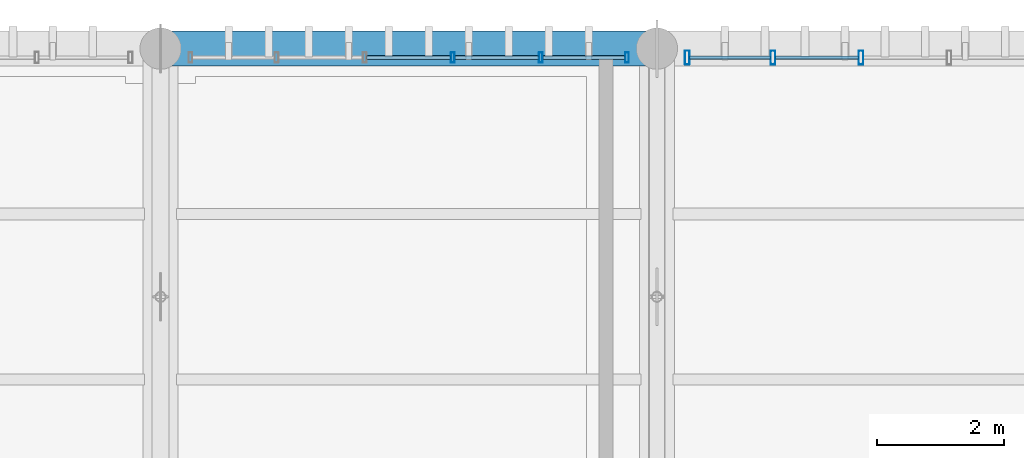
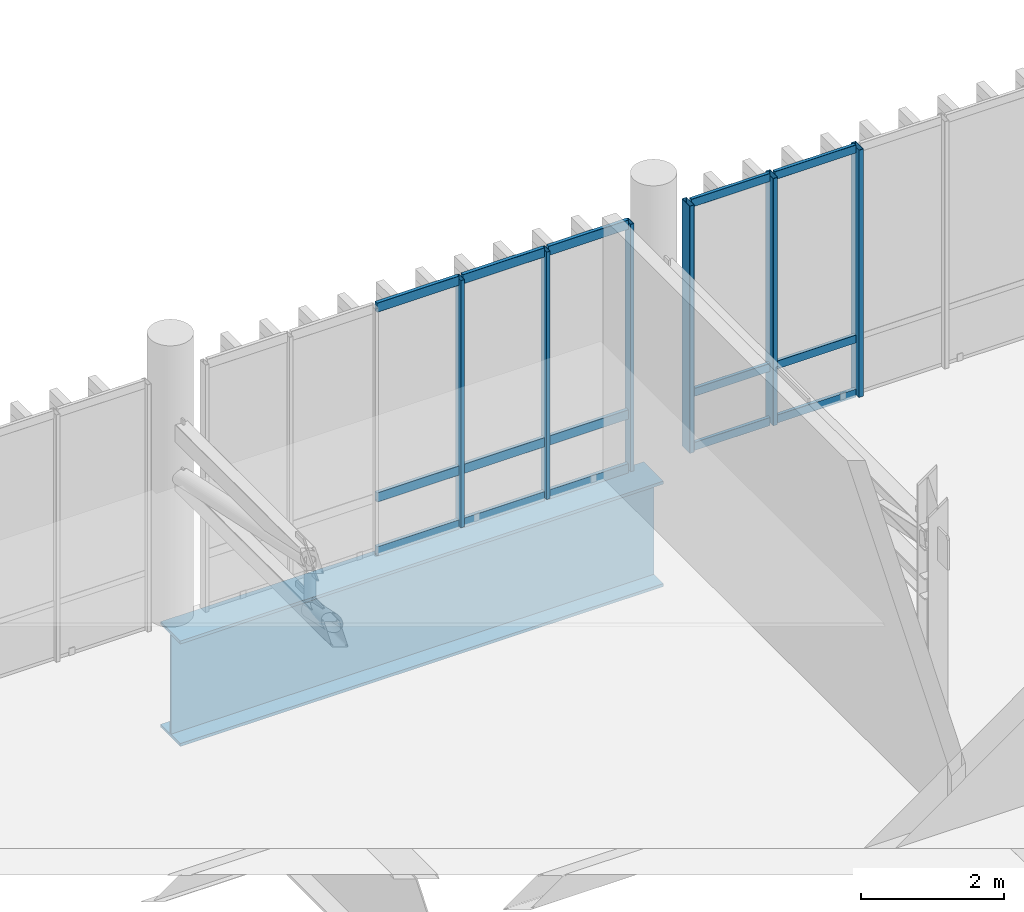
# One storey, part 50 of 81: 21 members, 1 beam, 2 elements without a shape of their own.
"""IFC4 building model written with IfcOpenShell, lengths in metres."""

from ifc_helpers import new_model, si_unit, direction, frame, origin_with_axes, origin_2d_with_axis, place, context, subcontext, project, spatial, hollow_rectangle, i_section, extrude, material, material_profile, profile_set, type_object, element, aggregate, save


model = new_model("IFC4")

# Units and contexts
model_context = context("Model", 3, precision=1e-05, world=origin_with_axes(), true_north=direction((0.0, 1.0)))
body_context = subcontext(model_context, "Body", "Model", "MODEL_VIEW")
ifc_project = project(units=[si_unit("LENGTHUNIT", "METRE"), si_unit("AREAUNIT", "SQUARE_METRE"), si_unit("VOLUMEUNIT", "CUBIC_METRE"), si_unit("PLANEANGLEUNIT", "RADIAN"), si_unit("MASSUNIT", "GRAM", prefix="KILO"), si_unit("THERMODYNAMICTEMPERATUREUNIT", "KELVIN")], contexts=[model_context])

# Site, building, storey
site_placement = place(None, origin_with_axes())
site = spatial("IfcSite", under=ifc_project, at=site_placement, CompositionType="ELEMENT")
building_placement = place(site_placement, origin_with_axes())
building = spatial("IfcBuilding", under=site, at=building_placement, Name="Montbau Bow Law Courts", CompositionType="ELEMENT")
storey_placement = place(building_placement, frame((0.0, 0.0, 24.9), z_axis=(0.0, 0.0, 1.0), x_axis=(1.0, 0.0, 0.0)))
storey = spatial("IfcBuildingStorey", under=building, at=storey_placement, Name="L05", CompositionType="ELEMENT", Elevation=24.9)

# Beam
ifc_material_1 = material(Name="Steel CSA G40.21 Grade 350WT (350 MPa)", Category="steel")
ifc_material_profile_1 = material_profile(ifc_material_1, i_section(OverallWidth=0.55, OverallDepth=1.8, WebThickness=0.022, FlangeThickness=0.05, at=origin_2d_with_axis()), Name="WWF1800X550", Category="Main", Priority=0)
ifc_profile_set_1 = profile_set([ifc_material_profile_1], Name="Steel CSA G40.21 Grade 350WT (350 MPa)")
beam_type = type_object("IfcBeamType", Name="B-TRG-01", PredefinedType="USERDEFINED", material=ifc_profile_set_1)
beam_placement = place(None, frame((147.0, 111.0, 23.7), z_axis=(1.0, 0.0, 0.0), x_axis=(0.0, 1.0, 0.0)))
element("IfcBeam", 1, at=beam_placement, inside=storey, type_object=beam_type, Name="TRG-L05-S0087:bm2_0090", ObjectType="GIRDER", PredefinedType="USERDEFINED", context=body_context, shape_type="SweptSolid", body=[
    extrude(i_section(OverallWidth=0.55, OverallDepth=1.8, WebThickness=0.022, FlangeThickness=0.05, at=origin_2d_with_axis()), origin_with_axes(), (0.0, 0.0, 1.0), 7.8),
])

# Curtain wall, members
ifc_material_2 = material(Name="Thermally Broken Extruded Aluminium AA 6063-T6", Category="aluminium")
curtain_wall_type = type_object("IfcCurtainWallType", Name="CW-SLT-02", PredefinedType="NOTDEFINED", material=ifc_material_2)
curtain_wall_1_placement = place(None, frame((155.24, 110.86, 24.9), z_axis=(0.0, 0.0, 1.0), x_axis=(1.0, 0.0, 0.0)))
curtain_wall_1 = element("IfcCurtainWall", 2, at=curtain_wall_1_placement, inside=storey, type_object=curtain_wall_type, Name="CW-L05-339:cw_0339", PredefinedType="NOTDEFINED")
ifc_material_profile_2 = material_profile(ifc_material_2, hollow_rectangle(XDim=0.075, YDim=0.22, WallThickness=0.005, InnerFilletRadius=0.01, OuterFilletRadius=0.005, at=origin_2d_with_axis()), Name="CWM-220X75", Category="Main", Priority=0)
ifc_profile_set_2 = profile_set([ifc_material_profile_2], Name="Thermally Broken Extruded Aluminium AA 6063-T6")
member_type_1 = type_object("IfcMemberType", Name="M-MUL-01", PredefinedType="MULLION", material=ifc_profile_set_2)
member_1_placement = place(None, frame((155.277, 110.86, 24.9), z_axis=(0.0, 0.0, 1.0), x_axis=(1.0, 0.0, 0.0)))
member_1 = element("IfcMember", 3, at=member_1_placement, type_object=member_type_1, Name="CW-L05-339-M01:cw_0339_M01", PredefinedType="MULLION", context=body_context, shape_type="SweptSolid", body=[
    extrude(hollow_rectangle(XDim=0.075, YDim=0.22, WallThickness=0.005, InnerFilletRadius=0.01, OuterFilletRadius=0.005, at=origin_2d_with_axis()), origin_with_axes(), (0.0, 0.0, 1.0), 4.22),
])
member_2_placement = place(None, frame((156.624, 110.86, 24.9), z_axis=(0.0, 0.0, 1.0), x_axis=(1.0, 0.0, 0.0)))
member_2 = element("IfcMember", 4, at=member_2_placement, type_object=member_type_1, Name="CW-L05-339-M02:cw_0339_M02", PredefinedType="MULLION", context=body_context, shape_type="SweptSolid", body=[
    extrude(hollow_rectangle(XDim=0.075, YDim=0.22, WallThickness=0.005, InnerFilletRadius=0.01, OuterFilletRadius=0.005, at=origin_2d_with_axis()), origin_with_axes(), (0.0, 0.0, 1.0), 4.22),
])
member_3_placement = place(None, frame((158.008, 110.86, 24.9), z_axis=(0.0, 0.0, 1.0), x_axis=(1.0, 0.0, 0.0)))
member_3 = element("IfcMember", 5, at=member_3_placement, type_object=member_type_1, Name="CW-L05-339-M03:cw_0339_M03", PredefinedType="MULLION", context=body_context, shape_type="SweptSolid", body=[
    extrude(hollow_rectangle(XDim=0.075, YDim=0.22, WallThickness=0.005, InnerFilletRadius=0.01, OuterFilletRadius=0.005, at=origin_2d_with_axis()), origin_with_axes(), (0.0, 0.0, 1.0), 4.22),
])

curtain_wall_2_placement = place(None, frame((147.44, 110.86, 24.9), z_axis=(0.0, 0.0, 1.0), x_axis=(1.0, 0.0, 0.0)))
curtain_wall_2 = element("IfcCurtainWall", 6, at=curtain_wall_2_placement, inside=storey, type_object=curtain_wall_type, Name="CW-L05-338:cw_0338", PredefinedType="NOTDEFINED")
ifc_material_profile_3 = material_profile(ifc_material_2, hollow_rectangle(XDim=0.06, YDim=0.16, WallThickness=0.004, InnerFilletRadius=0.008, OuterFilletRadius=0.004, at=origin_2d_with_axis()), Name="CWM-160X60", Category="Main", Priority=0)
ifc_profile_set_3 = profile_set([ifc_material_profile_3], Name="Thermally Broken Extruded Aluminium AA 6063-T6")
member_type_2 = type_object("IfcMemberType", Name="M-MUL-03", PredefinedType="MULLION", material=ifc_profile_set_3)
member_4_placement = place(None, frame((151.592, 110.86, 24.9), z_axis=(0.0, 0.0, 1.0), x_axis=(1.0, 0.0, 0.0)))
member_4 = element("IfcMember", 7, at=member_4_placement, type_object=member_type_2, Name="CW-L05-338-M04:cw_0338_M04", PredefinedType="MULLION", context=body_context, shape_type="SweptSolid", body=[
    extrude(hollow_rectangle(XDim=0.06, YDim=0.16, WallThickness=0.004, InnerFilletRadius=0.008, OuterFilletRadius=0.004, at=origin_2d_with_axis()), origin_with_axes(), (0.0, 0.0, 1.0), 4.22),
])
member_5_placement = place(None, frame((152.976, 110.86, 24.9), z_axis=(0.0, 0.0, 1.0), x_axis=(1.0, 0.0, 0.0)))
member_5 = element("IfcMember", 8, at=member_5_placement, type_object=member_type_2, Name="CW-L05-338-M05:cw_0338_M05", PredefinedType="MULLION", context=body_context, shape_type="SweptSolid", body=[
    extrude(hollow_rectangle(XDim=0.06, YDim=0.16, WallThickness=0.004, InnerFilletRadius=0.008, OuterFilletRadius=0.004, at=origin_2d_with_axis()), origin_with_axes(), (0.0, 0.0, 1.0), 4.22),
])
member_6_placement = place(None, frame((154.33, 110.86, 24.9), z_axis=(0.0, 0.0, 1.0), x_axis=(1.0, 0.0, 0.0)))
member_6 = element("IfcMember", 9, at=member_6_placement, type_object=member_type_2, Name="CW-L05-338-M06:cw_0338_M06", PredefinedType="MULLION", context=body_context, shape_type="SweptSolid", body=[
    extrude(hollow_rectangle(XDim=0.06, YDim=0.16, WallThickness=0.004, InnerFilletRadius=0.008, OuterFilletRadius=0.004, at=origin_2d_with_axis()), origin_with_axes(), (0.0, 0.0, 1.0), 4.22),
])
ifc_material_profile_4 = material_profile(ifc_material_2, hollow_rectangle(XDim=0.06, YDim=0.16, WallThickness=0.004, InnerFilletRadius=0.008, OuterFilletRadius=0.004, at=origin_2d_with_axis()), Name="CWT-160X60", Category="Main", Priority=0)
ifc_profile_set_4 = profile_set([ifc_material_profile_4], Name="Thermally Broken Extruded Aluminium AA 6063-T6")
member_type_3 = type_object("IfcMemberType", Name="M-TRN-01", PredefinedType="USERDEFINED", material=ifc_profile_set_4)
member_7_placement = place(None, frame((150.24, 110.86, 24.93), z_axis=(1.0, 0.0, 0.0), x_axis=(0.0, 1.0, 0.0)))
member_7 = element("IfcMember", 10, at=member_7_placement, type_object=member_type_3, Name="CW-L05-338-T03-1:cw_0338_T03_1", ObjectType="TRANSOM", PredefinedType="USERDEFINED", context=body_context, shape_type="SweptSolid", body=[
    extrude(hollow_rectangle(XDim=0.06, YDim=0.16, WallThickness=0.004, InnerFilletRadius=0.008, OuterFilletRadius=0.004, at=origin_2d_with_axis()), origin_with_axes(), (0.0, 0.0, 1.0), 1.32),
])
member_8_placement = place(None, frame((150.24, 110.86, 25.85), z_axis=(1.0, 0.0, 0.0), x_axis=(0.0, 1.0, 0.0)))
member_8 = element("IfcMember", 11, at=member_8_placement, type_object=member_type_3, Name="CW-L05-338-T03-2:cw_0338_T03_2", ObjectType="TRANSOM", PredefinedType="USERDEFINED", context=body_context, shape_type="SweptSolid", body=[
    extrude(hollow_rectangle(XDim=0.06, YDim=0.16, WallThickness=0.004, InnerFilletRadius=0.008, OuterFilletRadius=0.004, at=origin_2d_with_axis()), origin_with_axes(), (0.0, 0.0, 1.0), 1.32),
])
member_9_placement = place(None, frame((150.24, 110.86, 29.09), z_axis=(1.0, 0.0, 0.0), x_axis=(0.0, 1.0, 0.0)))
member_9 = element("IfcMember", 12, at=member_9_placement, type_object=member_type_3, Name="CW-L05-338-T03-3:cw_0338_T03_3", ObjectType="TRANSOM", PredefinedType="USERDEFINED", context=body_context, shape_type="SweptSolid", body=[
    extrude(hollow_rectangle(XDim=0.06, YDim=0.16, WallThickness=0.004, InnerFilletRadius=0.008, OuterFilletRadius=0.004, at=origin_2d_with_axis()), origin_with_axes(), (0.0, 0.0, 1.0), 1.32),
])
member_10_placement = place(None, frame((151.624, 110.86, 24.93), z_axis=(1.0, 0.0, 0.0), x_axis=(0.0, 1.0, 0.0)))
member_10 = element("IfcMember", 13, at=member_10_placement, type_object=member_type_3, Name="CW-L05-338-T04-1:cw_0338_T04_1", ObjectType="TRANSOM", PredefinedType="USERDEFINED", context=body_context, shape_type="SweptSolid", body=[
    extrude(hollow_rectangle(XDim=0.06, YDim=0.16, WallThickness=0.004, InnerFilletRadius=0.008, OuterFilletRadius=0.004, at=origin_2d_with_axis()), origin_with_axes(), (0.0, 0.0, 1.0), 1.32),
])
member_11_placement = place(None, frame((151.624, 110.86, 25.85), z_axis=(1.0, 0.0, 0.0), x_axis=(0.0, 1.0, 0.0)))
member_11 = element("IfcMember", 14, at=member_11_placement, type_object=member_type_3, Name="CW-L05-338-T04-2:cw_0338_T04_2", ObjectType="TRANSOM", PredefinedType="USERDEFINED", context=body_context, shape_type="SweptSolid", body=[
    extrude(hollow_rectangle(XDim=0.06, YDim=0.16, WallThickness=0.004, InnerFilletRadius=0.008, OuterFilletRadius=0.004, at=origin_2d_with_axis()), origin_with_axes(), (0.0, 0.0, 1.0), 1.32),
])
member_12_placement = place(None, frame((151.624, 110.86, 29.09), z_axis=(1.0, 0.0, 0.0), x_axis=(0.0, 1.0, 0.0)))
member_12 = element("IfcMember", 15, at=member_12_placement, type_object=member_type_3, Name="CW-L05-338-T04-3:cw_0338_T04_3", ObjectType="TRANSOM", PredefinedType="USERDEFINED", context=body_context, shape_type="SweptSolid", body=[
    extrude(hollow_rectangle(XDim=0.06, YDim=0.16, WallThickness=0.004, InnerFilletRadius=0.008, OuterFilletRadius=0.004, at=origin_2d_with_axis()), origin_with_axes(), (0.0, 0.0, 1.0), 1.32),
])
member_13_placement = place(None, frame((153.008, 110.86, 24.93), z_axis=(1.0, 0.0, 0.0), x_axis=(0.0, 1.0, 0.0)))
member_13 = element("IfcMember", 16, at=member_13_placement, type_object=member_type_3, Name="CW-L05-338-T05-1:cw_0338_T05_1", ObjectType="TRANSOM", PredefinedType="USERDEFINED", context=body_context, shape_type="SweptSolid", body=[
    extrude(hollow_rectangle(XDim=0.06, YDim=0.16, WallThickness=0.004, InnerFilletRadius=0.008, OuterFilletRadius=0.004, at=origin_2d_with_axis()), origin_with_axes(), (0.0, 0.0, 1.0), 1.29),
])
member_14_placement = place(None, frame((153.008, 110.86, 25.85), z_axis=(1.0, 0.0, 0.0), x_axis=(0.0, 1.0, 0.0)))
member_14 = element("IfcMember", 17, at=member_14_placement, type_object=member_type_3, Name="CW-L05-338-T05-2:cw_0338_T05_2", ObjectType="TRANSOM", PredefinedType="USERDEFINED", context=body_context, shape_type="SweptSolid", body=[
    extrude(hollow_rectangle(XDim=0.06, YDim=0.16, WallThickness=0.004, InnerFilletRadius=0.008, OuterFilletRadius=0.004, at=origin_2d_with_axis()), origin_with_axes(), (0.0, 0.0, 1.0), 1.29),
])
member_15_placement = place(None, frame((153.008, 110.86, 29.09), z_axis=(1.0, 0.0, 0.0), x_axis=(0.0, 1.0, 0.0)))
member_15 = element("IfcMember", 18, at=member_15_placement, type_object=member_type_3, Name="CW-L05-338-T05-3:cw_0338_T05_3", ObjectType="TRANSOM", PredefinedType="USERDEFINED", context=body_context, shape_type="SweptSolid", body=[
    extrude(hollow_rectangle(XDim=0.06, YDim=0.16, WallThickness=0.004, InnerFilletRadius=0.008, OuterFilletRadius=0.004, at=origin_2d_with_axis()), origin_with_axes(), (0.0, 0.0, 1.0), 1.29),
])
aggregate(curtain_wall_2, [member_4, member_5, member_6, member_7, member_8, member_9, member_10, member_11, member_12, member_13, member_14, member_15])

# Member
ifc_material_profile_5 = material_profile(ifc_material_2, hollow_rectangle(XDim=0.055, YDim=0.14, WallThickness=0.004, InnerFilletRadius=0.008, OuterFilletRadius=0.004, at=origin_2d_with_axis()), Name="CWT-140X55", Category="Main", Priority=0)
ifc_profile_set_5 = profile_set([ifc_material_profile_5], Name="Thermally Broken Extruded Aluminium AA 6063-T6")
member_type_4 = type_object("IfcMemberType", Name="M-TRN-02", PredefinedType="USERDEFINED", material=ifc_profile_set_5)
member_16_placement = place(None, frame((155.316, 110.86, 24.927), z_axis=(1.0, 0.0, 0.0), x_axis=(0.0, 1.0, 0.0)))
member_16 = element("IfcMember", 19, at=member_16_placement, type_object=member_type_4, Name="CW-L05-339-T01-1:cw_0339_T01_1", ObjectType="TRANSOM", PredefinedType="USERDEFINED", context=body_context, shape_type="SweptSolid", body=[
    extrude(hollow_rectangle(XDim=0.055, YDim=0.14, WallThickness=0.004, InnerFilletRadius=0.008, OuterFilletRadius=0.004, at=origin_2d_with_axis()), origin_with_axes(), (0.0, 0.0, 1.0), 1.268),
])

member_17_placement = place(None, frame((155.316, 110.86, 25.85), z_axis=(1.0, 0.0, 0.0), x_axis=(0.0, 1.0, 0.0)))
member_17 = element("IfcMember", 20, at=member_17_placement, type_object=member_type_4, Name="CW-L05-339-T01-2:cw_0339_T01_2", ObjectType="TRANSOM", PredefinedType="USERDEFINED", context=body_context, shape_type="SweptSolid", body=[
    extrude(hollow_rectangle(XDim=0.055, YDim=0.14, WallThickness=0.004, InnerFilletRadius=0.008, OuterFilletRadius=0.004, at=origin_2d_with_axis()), origin_with_axes(), (0.0, 0.0, 1.0), 1.268),
])

member_18_placement = place(None, frame((155.316, 110.86, 29.093), z_axis=(1.0, 0.0, 0.0), x_axis=(0.0, 1.0, 0.0)))
member_18 = element("IfcMember", 21, at=member_18_placement, type_object=member_type_4, Name="CW-L05-339-T01-3:cw_0339_T01_3", ObjectType="TRANSOM", PredefinedType="USERDEFINED", context=body_context, shape_type="SweptSolid", body=[
    extrude(hollow_rectangle(XDim=0.055, YDim=0.14, WallThickness=0.004, InnerFilletRadius=0.008, OuterFilletRadius=0.004, at=origin_2d_with_axis()), origin_with_axes(), (0.0, 0.0, 1.0), 1.268),
])

member_19_placement = place(None, frame((156.663, 110.86, 24.927), z_axis=(1.0, 0.0, 0.0), x_axis=(0.0, 1.0, 0.0)))
member_19 = element("IfcMember", 22, at=member_19_placement, type_object=member_type_4, Name="CW-L05-339-T02-1:cw_0339_T02_1", ObjectType="TRANSOM", PredefinedType="USERDEFINED", context=body_context, shape_type="SweptSolid", body=[
    extrude(hollow_rectangle(XDim=0.055, YDim=0.14, WallThickness=0.004, InnerFilletRadius=0.008, OuterFilletRadius=0.004, at=origin_2d_with_axis()), origin_with_axes(), (0.0, 0.0, 1.0), 1.305),
])

member_20_placement = place(None, frame((156.663, 110.86, 25.85), z_axis=(1.0, 0.0, 0.0), x_axis=(0.0, 1.0, 0.0)))
member_20 = element("IfcMember", 23, at=member_20_placement, type_object=member_type_4, Name="CW-L05-339-T02-2:cw_0339_T02_2", ObjectType="TRANSOM", PredefinedType="USERDEFINED", context=body_context, shape_type="SweptSolid", body=[
    extrude(hollow_rectangle(XDim=0.055, YDim=0.14, WallThickness=0.004, InnerFilletRadius=0.008, OuterFilletRadius=0.004, at=origin_2d_with_axis()), origin_with_axes(), (0.0, 0.0, 1.0), 1.305),
])

member_21_placement = place(None, frame((156.663, 110.86, 29.093), z_axis=(1.0, 0.0, 0.0), x_axis=(0.0, 1.0, 0.0)))
member_21 = element("IfcMember", 24, at=member_21_placement, type_object=member_type_4, Name="CW-L05-339-T02-3:cw_0339_T02_3", ObjectType="TRANSOM", PredefinedType="USERDEFINED", context=body_context, shape_type="SweptSolid", body=[
    extrude(hollow_rectangle(XDim=0.055, YDim=0.14, WallThickness=0.004, InnerFilletRadius=0.008, OuterFilletRadius=0.004, at=origin_2d_with_axis()), origin_with_axes(), (0.0, 0.0, 1.0), 1.305),
])

aggregate(curtain_wall_1, [member_1, member_2, member_3, member_16, member_17, member_18, member_19, member_20, member_21])

save(model, "model.ifc")
